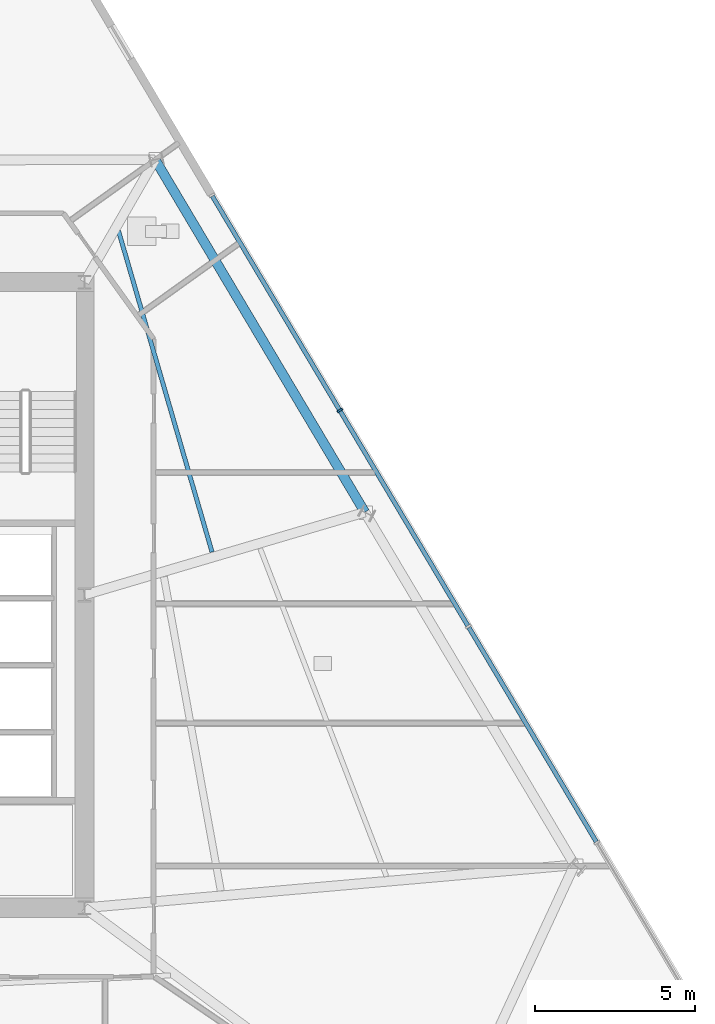
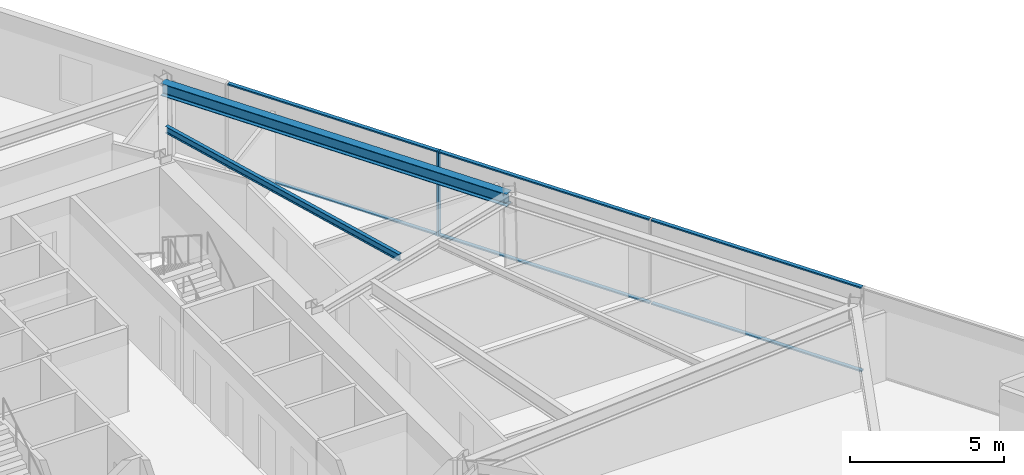
# One storey, part 5 of 15: 7 members, 2 beams, 1 element without a shape of its own.
"""IFC4 building model written with IfcOpenShell, lengths in metres."""

from ifc_helpers import new_model, si_unit, direction, frame, origin, origin_2d, place, context, subcontext, project, spatial, rectangle, i_section, extrude, material, material_profile, profile_set, type_object, element, aggregate, save


model = new_model("IFC4")

# Units and contexts
model_context = context("Model", 3, precision=1e-05, world=origin(), true_north=direction((0.0, 1.0)))
body_context = subcontext(model_context, "Body", "Model", "MODEL_VIEW")
ifc_project = project(units=[si_unit("LENGTHUNIT", "METRE"), si_unit("AREAUNIT", "SQUARE_METRE"), si_unit("VOLUMEUNIT", "CUBIC_METRE"), si_unit("PLANEANGLEUNIT", "RADIAN"), si_unit("MASSUNIT", "GRAM", prefix="KILO")], contexts=[model_context])

# Site, building, storey
site_placement = place(None, origin())
site = spatial("IfcSite", under=ifc_project, at=site_placement, CompositionType="ELEMENT")
building_placement = place(site_placement, origin())
building = spatial("IfcBuilding", under=site, at=building_placement, Name="Savorim Split Tower", CompositionType="ELEMENT")
storey_placement = place(building_placement, frame((0.0, 0.0, 107.699951171875)))
storey = spatial("IfcBuildingStorey", under=building, at=storey_placement, Name="L28", CompositionType="ELEMENT", Elevation=107.699951171875)

# Beams
ifc_material_1 = material(Name="Steel S355", Category="steel")
ifc_material_profile_1 = material_profile(ifc_material_1, i_section(OverallWidth=0.135009765625, OverallDepth=0.27001953125, WebThickness=0.006591796875, FlangeThickness=0.01025390625, FilletRadius=0.014892578125, at=origin_2d()), Name="IPE 270")
ifc_profile_set_1 = profile_set([ifc_material_profile_1], Name="Steel S355")
beam_type_1 = type_object("IfcBeamType", Name="BM-JST-IPE270", PredefinedType="JOIST", material=ifc_profile_set_1)
beam_1_placement = place(storey_placement, frame((11.69482421875, 1.746337890625, 3.215087890625), z_axis=(-0.279656626159, 0.960100084077, 0.0), x_axis=(-0.960100084077, -0.279656626159, 0.0)))
element("IfcBeam", 1, at=beam_1_placement, inside=storey, type_object=beam_type_1, Name="L28 Secondary Floor Joist JS-07", PredefinedType="JOIST", context=body_context, shape_type="SweptSolid", body=[
    extrude(i_section(OverallWidth=0.135009765625, OverallDepth=0.27001953125, WebThickness=0.006591796875, FlangeThickness=0.01025390625, FilletRadius=0.014892578125, at=origin_2d()), origin(), (0.0, 0.0, 1.0), 10.48486328125),
])
ifc_material_profile_2 = material_profile(ifc_material_1, i_section(OverallWidth=0.300048828125, OverallDepth=0.489990234375, WebThickness=0.011962890625, FlangeThickness=0.02294921875, FilletRadius=0.027099609375, at=origin_2d()), Name="HEA 500")
ifc_profile_set_2 = profile_set([ifc_material_profile_2], Name="Steel S355")
beam_type_2 = type_object("IfcBeamType", Name="BM-SPN-HEA500", PredefinedType="SPANDREL", material=ifc_profile_set_2)
beam_2_placement = place(storey_placement, frame((16.481689453125, 2.992919921875, 3.10498046875), z_axis=(-0.511086392656, 0.859529347516, 0.0), x_axis=(-0.859529347516, -0.511086392656, 0.0)))
element("IfcBeam", 2, at=beam_2_placement, inside=storey, type_object=beam_type_2, Name="L28 Perimeter Spandrel Beam 6", PredefinedType="SPANDREL", context=body_context, shape_type="SweptSolid", body=[
    extrude(i_section(OverallWidth=0.300048828125, OverallDepth=0.489990234375, WebThickness=0.011962890625, FlangeThickness=0.02294921875, FilletRadius=0.027099609375, at=origin_2d()), origin(), (0.0, 0.0, 1.0), 12.852294921875),
])

# Curtain wall, members
ifc_material_2 = material(Name="Dark Ceramic-Fritted Insulated Glass", Category="glass")
curtain_wall_type = type_object("IfcCurtainWallType", Name="CW-TWR-FRIT-A", PredefinedType="NOTDEFINED", material=ifc_material_2)
curtain_wall_placement = place(storey_placement, origin())
curtain_wall = element("IfcCurtainWall", 3, at=curtain_wall_placement, inside=storey, type_object=curtain_wall_type, Name="L28 Curtain Wall CW-L28-EAST", PredefinedType="NOTDEFINED")
ifc_material_3 = material(Name="Charcoal Anodised Aluminium", Category="aluminium")
ifc_material_profile_3 = material_profile(ifc_material_3, rectangle(XDim=0.179931640625, YDim=0.06494140625, at=origin_2d()), Name="ALU-M 180x65")
ifc_profile_set_3 = profile_set([ifc_material_profile_3], Name="Charcoal Anodised Aluminium")
member_type_1 = type_object("IfcMemberType", Name="CWM-180x65", PredefinedType="MULLION", material=ifc_profile_set_3)
member_1_placement = place(storey_placement, frame((15.6982421875, 6.1806640625, 0.0), z_axis=(0.0, 0.0, 1.0), x_axis=(-0.859525409745, -0.51109301502, 0.0)))
member_1 = element("IfcMember", 4, at=member_1_placement, type_object=member_type_1, Name="CW-02 mullion 4", PredefinedType="MULLION", context=body_context, shape_type="SweptSolid", body=[
    extrude(rectangle(XDim=0.179931640625, YDim=0.06494140625, at=origin_2d()), origin(), (0.0, 0.0, 1.0), 3.35009765625),
])
ifc_material_profile_4 = material_profile(ifc_material_3, rectangle(XDim=0.139892578125, YDim=0.054931640625, at=origin_2d()), Name="ALU-T 140x55")
ifc_profile_set_4 = profile_set([ifc_material_profile_4], Name="Charcoal Anodised Aluminium")
member_type_2 = type_object("IfcMemberType", Name="CWT-140x55", PredefinedType="USERDEFINED", material=ifc_profile_set_4)
member_2_placement = place(storey_placement, frame((23.7314453125, -7.328857421875, 0.027587890625), z_axis=(-0.511099111731, 0.859521784475, 0.0), x_axis=(-0.859521784475, -0.511099111731, 0.0)))
member_2 = element("IfcMember", 5, at=member_2_placement, type_object=member_type_2, Name="CW-02 transom 2.1", ObjectType="TRANSOM", PredefinedType="USERDEFINED", context=body_context, shape_type="SweptSolid", body=[
    extrude(rectangle(XDim=0.139892578125, YDim=0.054931640625, at=origin_2d()), origin(), (0.0, 0.0, 1.0), 7.81005859375),
])
member_3_placement = place(storey_placement, frame((23.7314453125, -7.328857421875, 3.322509765625), z_axis=(-0.511099111731, 0.859521784475, 0.0), x_axis=(-0.859521784475, -0.511099111731, 0.0)))
member_3 = element("IfcMember", 6, at=member_3_placement, type_object=member_type_2, Name="CW-02 transom 2.2", ObjectType="TRANSOM", PredefinedType="USERDEFINED", context=body_context, shape_type="SweptSolid", body=[
    extrude(rectangle(XDim=0.139892578125, YDim=0.054931640625, at=origin_2d()), origin(), (0.0, 0.0, 1.0), 7.81005859375),
])
member_4_placement = place(storey_placement, frame((19.70654296875, -0.56005859375, 0.027587890625), z_axis=(-0.511099111731, 0.859521784475, 0.0), x_axis=(-0.859521784475, -0.511099111731, 0.0)))
member_4 = element("IfcMember", 7, at=member_4_placement, type_object=member_type_2, Name="CW-02 transom 3.1", ObjectType="TRANSOM", PredefinedType="USERDEFINED", context=body_context, shape_type="SweptSolid", body=[
    extrude(rectangle(XDim=0.139892578125, YDim=0.054931640625, at=origin_2d()), origin(), (0.0, 0.0, 1.0), 7.81005859375),
])
member_5_placement = place(storey_placement, frame((19.70654296875, -0.56005859375, 3.322509765625), z_axis=(-0.511099111731, 0.859521784475, 0.0), x_axis=(-0.859521784475, -0.511099111731, 0.0)))
member_5 = element("IfcMember", 8, at=member_5_placement, type_object=member_type_2, Name="CW-02 transom 3.2", ObjectType="TRANSOM", PredefinedType="USERDEFINED", context=body_context, shape_type="SweptSolid", body=[
    extrude(rectangle(XDim=0.139892578125, YDim=0.054931640625, at=origin_2d()), origin(), (0.0, 0.0, 1.0), 7.81005859375),
])
member_6_placement = place(storey_placement, frame((15.681640625, 6.208740234375, 0.027587890625), z_axis=(-0.511084795046, 0.859530297472, 0.0), x_axis=(-0.859530297472, -0.511084795046, 0.0)))
member_6 = element("IfcMember", 9, at=member_6_placement, type_object=member_type_2, Name="CW-02 transom 4.1", ObjectType="TRANSOM", PredefinedType="USERDEFINED", context=body_context, shape_type="SweptSolid", body=[
    extrude(rectangle(XDim=0.139892578125, YDim=0.054931640625, at=origin_2d()), origin(), (0.0, 0.0, 1.0), 7.77734375),
])
member_7_placement = place(storey_placement, frame((15.681640625, 6.208740234375, 3.322509765625), z_axis=(-0.511084795046, 0.859530297472, 0.0), x_axis=(-0.859530297472, -0.511084795046, 0.0)))
member_7 = element("IfcMember", 10, at=member_7_placement, type_object=member_type_2, Name="CW-02 transom 4.2", ObjectType="TRANSOM", PredefinedType="USERDEFINED", context=body_context, shape_type="SweptSolid", body=[
    extrude(rectangle(XDim=0.139892578125, YDim=0.054931640625, at=origin_2d()), origin(), (0.0, 0.0, 1.0), 7.77734375),
])
aggregate(curtain_wall, [member_1, member_2, member_3, member_4, member_5, member_6, member_7])

save(model, "model.ifc")
